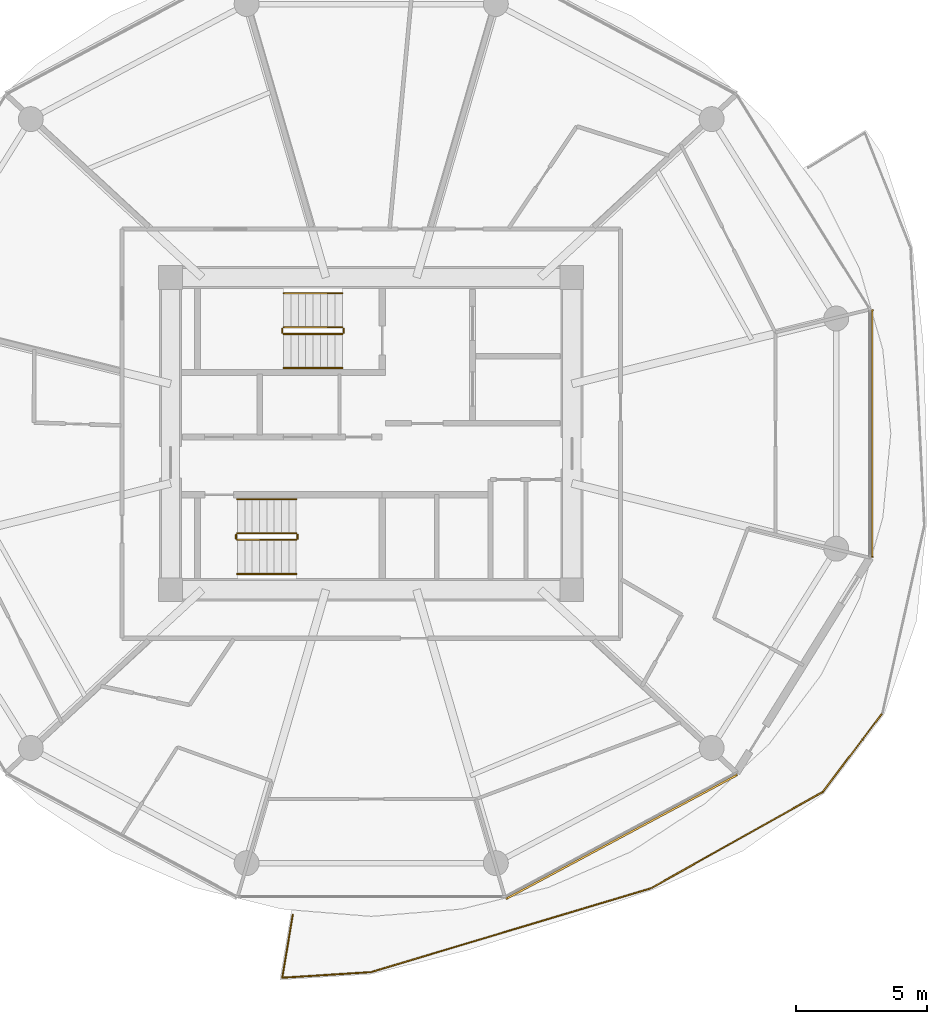
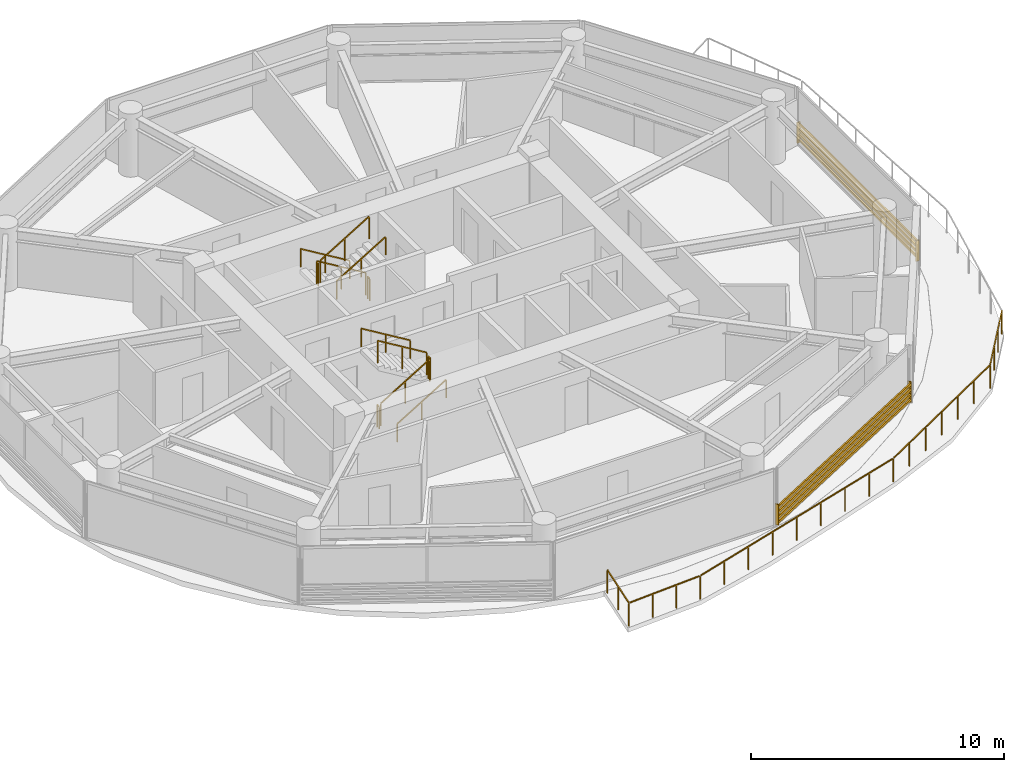
# One storey, part 26 of 27: 13 railings, 2 shading devices.
"""IFC4 building model written with IfcOpenShell, lengths in metres."""

from ifc_helpers import new_model, si_unit, direction, frame, origin, origin_2d, place, context, subcontext, project, spatial, rectangle, extrude, source, transform, mapped, material, type_object, type_shapes, element, save


model = new_model("IFC4")

# Units and contexts
model_context = context("Model", 3, precision=1e-05, world=origin(), true_north=direction((0.0, 1.0)))
body_context = subcontext(model_context, "Body", "Model", "MODEL_VIEW")
ifc_project = project(units=[si_unit("LENGTHUNIT", "METRE"), si_unit("AREAUNIT", "SQUARE_METRE"), si_unit("VOLUMEUNIT", "CUBIC_METRE"), si_unit("PLANEANGLEUNIT", "RADIAN"), si_unit("MASSUNIT", "GRAM", prefix="KILO")], contexts=[model_context])

# Site, building, storey
site_placement = place(None, origin())
site = spatial("IfcSite", under=ifc_project, at=site_placement, CompositionType="ELEMENT")
building_placement = place(site_placement, origin())
building = spatial("IfcBuilding", under=site, at=building_placement, Name="Norrkilde Senior Care Towers", CompositionType="ELEMENT")
storey_placement = place(building_placement, frame((0.0, 0.0, 33.800048828125)))
storey = spatial("IfcBuildingStorey", under=building, at=storey_placement, Name="L09", CompositionType="ELEMENT", Elevation=33.800048828125)

# Railings
ifc_material_1 = material(Name="Anodised Aluminium", Category="aluminium")
railing_type_1 = type_object("IfcRailingType", Name="Balcony Swirl Ribbon Guardrail 1150", PredefinedType="GUARDRAIL", material=ifc_material_1)
railing_1_placement = place(storey_placement, frame((47.482177734375, -10.65673828125, 0.0)))
element("IfcRailing", 1, at=railing_1_placement, inside=storey, type_object=railing_type_1, Name="L09 Perimeter Safety Guard 01", PredefinedType="GUARDRAIL", context=body_context, shape_type="SweptSolid", body=[
    extrude(rectangle(XDim=0.048095703125, YDim=0.048095703125, at=origin_2d()), frame((0.0, 0.0, 1.1259765625), z_axis=(-0.604075930237, -0.796926766089, 0.0), x_axis=(0.796926766089, -0.604075930237, 0.0)), (0.0, 0.0, 1.0), 3.727783203125),
    extrude(rectangle(XDim=0.048095703125, YDim=0.048095703125, at=origin_2d()), frame((-2.312255859375, -3.0234375, 1.1259765625), z_axis=(-0.872179606646, -0.489185786539, 0.0), x_axis=(0.489185786539, -0.872179606646, 0.0)), (0.0, 0.0, 1.0), 7.42236328125),
    extrude(rectangle(XDim=0.048095703125, YDim=0.048095703125, at=origin_2d()), frame((-8.860595703125, -6.68603515625, 1.1259765625), z_axis=(-0.957981752548, -0.286829150862, 0.0), x_axis=(0.286829150862, -0.957981752548, 0.0)), (0.0, 0.0, 1.0), 11.059326171875),
    extrude(rectangle(XDim=0.048095703125, YDim=0.048095703125, at=origin_2d()), frame((-19.53515625, -9.87255859375, 1.1259765625), z_axis=(-0.998008861038, -0.06307387168, 0.0), x_axis=(0.06307387168, -0.998008861038, 0.0)), (0.0, 0.0, 1.0), 3.30517578125),
    extrude(rectangle(XDim=0.048095703125, YDim=0.048095703125, at=origin_2d()), frame((-22.86767578125, -10.043212890625, 1.1259765625), z_axis=(0.165146454225, 0.986269054902, 0.0), x_axis=(-0.986269054902, 0.165146454225, 0.0)), (0.0, 0.0, 1.0), 2.3955078125),
    extrude(rectangle(XDim=0.0419921875, YDim=0.0419921875, at=origin_2d()), origin(), (0.0, 0.0, 1.0), 1.099853515625),
    extrude(rectangle(XDim=0.0419921875, YDim=0.0419921875, at=origin_2d()), frame((-0.7587890625, -1.001220703125, 0.0)), (0.0, 0.0, 1.0), 1.099853515625),
    extrude(rectangle(XDim=0.0419921875, YDim=0.0419921875, at=origin_2d()), frame((-1.517822265625, -2.002197265625, 0.0)), (0.0, 0.0, 1.0), 1.099853515625),
    extrude(rectangle(XDim=0.0419921875, YDim=0.0419921875, at=origin_2d()), frame((-2.276611328125, -3.00341796875, 0.0)), (0.0, 0.0, 1.0), 1.099853515625),
    extrude(rectangle(XDim=0.0419921875, YDim=0.0419921875, at=origin_2d()), frame((-3.367431640625, -3.615234375, 0.0)), (0.0, 0.0, 1.0), 1.099853515625),
    extrude(rectangle(XDim=0.0419921875, YDim=0.0419921875, at=origin_2d()), frame((-4.458251953125, -4.22705078125, 0.0)), (0.0, 0.0, 1.0), 1.099853515625),
    extrude(rectangle(XDim=0.0419921875, YDim=0.0419921875, at=origin_2d()), frame((-5.549072265625, -4.8388671875, 0.0)), (0.0, 0.0, 1.0), 1.099853515625),
    extrude(rectangle(XDim=0.0419921875, YDim=0.0419921875, at=origin_2d()), frame((-6.639892578125, -5.45068359375, 0.0)), (0.0, 0.0, 1.0), 1.099853515625),
    extrude(rectangle(XDim=0.0419921875, YDim=0.0419921875, at=origin_2d()), frame((-7.730712890625, -6.0625, 0.0)), (0.0, 0.0, 1.0), 1.099853515625),
    extrude(rectangle(XDim=0.0419921875, YDim=0.0419921875, at=origin_2d()), frame((-8.821533203125, -6.67431640625, 0.0)), (0.0, 0.0, 1.0), 1.099853515625),
    extrude(rectangle(XDim=0.0419921875, YDim=0.0419921875, at=origin_2d()), frame((-10.15576171875, -7.07373046875, 0.0)), (0.0, 0.0, 1.0), 1.099853515625),
    extrude(rectangle(XDim=0.0419921875, YDim=0.0419921875, at=origin_2d()), frame((-11.48974609375, -7.47314453125, 0.0)), (0.0, 0.0, 1.0), 1.099853515625),
    extrude(rectangle(XDim=0.0419921875, YDim=0.0419921875, at=origin_2d()), frame((-12.82373046875, -7.87255859375, 0.0)), (0.0, 0.0, 1.0), 1.099853515625),
    extrude(rectangle(XDim=0.0419921875, YDim=0.0419921875, at=origin_2d()), frame((-14.157958984375, -8.27197265625, 0.0)), (0.0, 0.0, 1.0), 1.099853515625),
    extrude(rectangle(XDim=0.0419921875, YDim=0.0419921875, at=origin_2d()), frame((-15.4921875, -8.671630859375, 0.0)), (0.0, 0.0, 1.0), 1.099853515625),
    extrude(rectangle(XDim=0.0419921875, YDim=0.0419921875, at=origin_2d()), frame((-16.826171875, -9.071044921875, 0.0)), (0.0, 0.0, 1.0), 1.099853515625),
    extrude(rectangle(XDim=0.0419921875, YDim=0.0419921875, at=origin_2d()), frame((-18.16015625, -9.470458984375, 0.0)), (0.0, 0.0, 1.0), 1.099853515625),
    extrude(rectangle(XDim=0.0419921875, YDim=0.0419921875, at=origin_2d()), frame((-19.494384765625, -9.869873046875, 0.0)), (0.0, 0.0, 1.0), 1.099853515625),
    extrude(rectangle(XDim=0.0419921875, YDim=0.0419921875, at=origin_2d()), frame((-20.62109375, -9.941162109375, 0.0)), (0.0, 0.0, 1.0), 1.099853515625),
    extrude(rectangle(XDim=0.0419921875, YDim=0.0419921875, at=origin_2d()), frame((-21.747802734375, -10.01220703125, 0.0)), (0.0, 0.0, 1.0), 1.099853515625),
    extrude(rectangle(XDim=0.0419921875, YDim=0.0419921875, at=origin_2d()), frame((-22.87451171875, -10.08349609375, 0.0)), (0.0, 0.0, 1.0), 1.099853515625),
    extrude(rectangle(XDim=0.0419921875, YDim=0.0419921875, at=origin_2d()), frame((-22.67333984375, -8.882080078125, 0.0)), (0.0, 0.0, 1.0), 1.099853515625),
    extrude(rectangle(XDim=0.0419921875, YDim=0.0419921875, at=origin_2d()), frame((-22.47216796875, -7.6806640625, 0.0)), (0.0, 0.0, 1.0), 1.099853515625),
])
ifc_material_2 = material(Name="Stainless Steel", Category="steel")
railing_type_2 = type_object("IfcRailingType", Name="Stair and Terrace Guardrail 1100", PredefinedType="GUARDRAIL", material=ifc_material_2)
railing_2_placement = place(storey_placement, frame((26.89990234375, 4.050048828125, 0.16943359375)))
element("IfcRailing", 2, at=railing_2_placement, inside=storey, type_object=railing_type_2, Name="L09 ST-E1 stair guard 1", PredefinedType="GUARDRAIL", context=body_context, shape_type="SweptSolid", body=[
    extrude(rectangle(XDim=0.048095703125, YDim=0.048095703125, at=origin_2d()), frame((0.0, 0.0, 1.076171875), z_axis=(-0.855553338991, 0.0, 0.51771467445), x_axis=(0.0, -1.0, 0.0)), (0.0, 0.0, 1.0), 2.6181640625),
    extrude(rectangle(XDim=0.0419921875, YDim=0.0419921875, at=origin_2d()), origin(), (0.0, 0.0, 1.0), 1.050048828125),
    extrude(rectangle(XDim=0.0419921875, YDim=0.0419921875, at=origin_2d()), frame((-1.1201171875, 0.0, 0.677734375)), (0.0, 0.0, 1.0), 1.050048828125),
    extrude(rectangle(XDim=0.0419921875, YDim=0.0419921875, at=origin_2d()), frame((-2.239990234375, 0.0, 1.35546875)), (0.0, 0.0, 1.0), 1.050048828125),
])
railing_3_placement = place(storey_placement, frame((24.610107421875, 4.0, 1.52490234375)))
element("IfcRailing", 3, at=railing_3_placement, inside=storey, type_object=railing_type_2, Name="L09 ST-E1 stair guard 2", PredefinedType="GUARDRAIL", context=body_context, shape_type="SweptSolid", body=[
    extrude(rectangle(XDim=0.048095703125, YDim=0.048095703125, at=origin_2d()), frame((0.0, 0.0, 1.076171875), z_axis=(0.0, -1.0, 0.0), x_axis=(1.0, 0.0, 0.0)), (0.0, 0.0, 1.0), 0.14990234375),
    extrude(rectangle(XDim=0.0419921875, YDim=0.0419921875, at=origin_2d()), origin(), (0.0, 0.0, 1.0), 1.050048828125),
    extrude(rectangle(XDim=0.0419921875, YDim=0.0419921875, at=origin_2d()), frame((0.0, -0.14990234375, 0.0)), (0.0, 0.0, 1.0), 1.050048828125),
])
railing_4_placement = place(storey_placement, frame((24.659912109375, 3.800048828125, 1.6943359375)))
element("IfcRailing", 4, at=railing_4_placement, inside=storey, type_object=railing_type_2, Name="L09 ST-E1 stair guard 3", PredefinedType="GUARDRAIL", context=body_context, shape_type="SweptSolid", body=[
    extrude(rectangle(XDim=0.048095703125, YDim=0.048095703125, at=origin_2d()), frame((0.0, 0.0, 1.076171875), z_axis=(0.855512035549, 0.0, 0.517782924622), x_axis=(0.0, 1.0, 0.0)), (0.0, 0.0, 1.0), 2.618408203125),
    extrude(rectangle(XDim=0.0419921875, YDim=0.0419921875, at=origin_2d()), origin(), (0.0, 0.0, 1.0), 1.050048828125),
    extrude(rectangle(XDim=0.0419921875, YDim=0.0419921875, at=origin_2d()), frame((1.1201171875, 0.0, 0.677734375)), (0.0, 0.0, 1.0), 1.050048828125),
    extrude(rectangle(XDim=0.0419921875, YDim=0.0419921875, at=origin_2d()), frame((2.239990234375, 0.0, 1.355712890625)), (0.0, 0.0, 1.0), 1.050048828125),
])
railing_5_placement = place(storey_placement, frame((26.949951171875, 4.0, 0.0)))
element("IfcRailing", 5, at=railing_5_placement, inside=storey, type_object=railing_type_2, Name="L09 ST-E1 stair guard 4", PredefinedType="GUARDRAIL", context=body_context, shape_type="SweptSolid", body=[
    extrude(rectangle(XDim=0.048095703125, YDim=0.048095703125, at=origin_2d()), frame((0.0, 0.0, 1.076171875), z_axis=(0.0, -1.0, 0.0), x_axis=(1.0, 0.0, 0.0)), (0.0, 0.0, 1.0), 0.14990234375),
    extrude(rectangle(XDim=0.0419921875, YDim=0.0419921875, at=origin_2d()), origin(), (0.0, 0.0, 1.0), 1.050048828125),
    extrude(rectangle(XDim=0.0419921875, YDim=0.0419921875, at=origin_2d()), frame((0.0, -0.14990234375, 0.0)), (0.0, 0.0, 1.0), 1.050048828125),
])
railing_6_placement = place(storey_placement, frame((22.89990234375, -4.050048828125, 0.16943359375)))
element("IfcRailing", 6, at=railing_6_placement, inside=storey, type_object=railing_type_2, Name="L09 ST-E2 stair guard 1", PredefinedType="GUARDRAIL", context=body_context, shape_type="SweptSolid", body=[
    extrude(rectangle(XDim=0.048095703125, YDim=0.048095703125, at=origin_2d()), frame((0.0, 0.0, 1.076171875), z_axis=(0.855553338991, 0.0, 0.51771467445), x_axis=(0.0, 1.0, 0.0)), (0.0, 0.0, 1.0), 2.6181640625),
    extrude(rectangle(XDim=0.0419921875, YDim=0.0419921875, at=origin_2d()), origin(), (0.0, 0.0, 1.0), 1.050048828125),
    extrude(rectangle(XDim=0.0419921875, YDim=0.0419921875, at=origin_2d()), frame((1.1201171875, 0.0, 0.677734375)), (0.0, 0.0, 1.0), 1.050048828125),
    extrude(rectangle(XDim=0.0419921875, YDim=0.0419921875, at=origin_2d()), frame((2.239990234375, 0.0, 1.35546875)), (0.0, 0.0, 1.0), 1.050048828125),
])
railing_7_placement = place(storey_placement, frame((25.18994140625, -4.0, 1.52490234375)))
element("IfcRailing", 7, at=railing_7_placement, inside=storey, type_object=railing_type_2, Name="L09 ST-E2 stair guard 2", PredefinedType="GUARDRAIL", context=body_context, shape_type="SweptSolid", body=[
    extrude(rectangle(XDim=0.048095703125, YDim=0.048095703125, at=origin_2d()), frame((0.0, 0.0, 1.076171875), z_axis=(0.0, 1.0, 0.0), x_axis=(-1.0, 0.0, 0.0)), (0.0, 0.0, 1.0), 0.14990234375),
    extrude(rectangle(XDim=0.0419921875, YDim=0.0419921875, at=origin_2d()), origin(), (0.0, 0.0, 1.0), 1.050048828125),
    extrude(rectangle(XDim=0.0419921875, YDim=0.0419921875, at=origin_2d()), frame((0.0, 0.14990234375, 0.0)), (0.0, 0.0, 1.0), 1.050048828125),
])
railing_8_placement = place(storey_placement, frame((25.139892578125, -3.800048828125, 1.6943359375)))
element("IfcRailing", 8, at=railing_8_placement, inside=storey, type_object=railing_type_2, Name="L09 ST-E2 stair guard 3", PredefinedType="GUARDRAIL", context=body_context, shape_type="SweptSolid", body=[
    extrude(rectangle(XDim=0.048095703125, YDim=0.048095703125, at=origin_2d()), frame((0.0, 0.0, 1.076171875), z_axis=(-0.855512035549, 0.0, 0.517782924622), x_axis=(0.0, -1.0, 0.0)), (0.0, 0.0, 1.0), 2.618408203125),
    extrude(rectangle(XDim=0.0419921875, YDim=0.0419921875, at=origin_2d()), origin(), (0.0, 0.0, 1.0), 1.050048828125),
    extrude(rectangle(XDim=0.0419921875, YDim=0.0419921875, at=origin_2d()), frame((-1.1201171875, 0.0, 0.677734375)), (0.0, 0.0, 1.0), 1.050048828125),
    extrude(rectangle(XDim=0.0419921875, YDim=0.0419921875, at=origin_2d()), frame((-2.239990234375, 0.0, 1.355712890625)), (0.0, 0.0, 1.0), 1.050048828125),
])
railing_9_placement = place(storey_placement, frame((22.85009765625, -4.0, 0.0)))
element("IfcRailing", 9, at=railing_9_placement, inside=storey, type_object=railing_type_2, Name="L09 ST-E2 stair guard 4", PredefinedType="GUARDRAIL", context=body_context, shape_type="SweptSolid", body=[
    extrude(rectangle(XDim=0.048095703125, YDim=0.048095703125, at=origin_2d()), frame((0.0, 0.0, 1.076171875), z_axis=(0.0, 1.0, 0.0), x_axis=(-1.0, 0.0, 0.0)), (0.0, 0.0, 1.0), 0.14990234375),
    extrude(rectangle(XDim=0.0419921875, YDim=0.0419921875, at=origin_2d()), origin(), (0.0, 0.0, 1.0), 1.050048828125),
    extrude(rectangle(XDim=0.0419921875, YDim=0.0419921875, at=origin_2d()), frame((0.0, 0.14990234375, 0.0)), (0.0, 0.0, 1.0), 1.050048828125),
])
ifc_material_3 = material(Name="Nordic Ash Timber", Category="wood")
railing_type_3 = type_object("IfcRailingType", Name="Wall and Stair Handrail 900", PredefinedType="HANDRAIL", material=ifc_material_3)
railing_10_placement = place(storey_placement, frame((26.89990234375, 5.35009765625, 0.16943359375)))
element("IfcRailing", 10, at=railing_10_placement, inside=storey, type_object=railing_type_3, Name="L09 ST-E1 stair handrail 1", PredefinedType="HANDRAIL", context=body_context, shape_type="SweptSolid", body=[
    extrude(rectangle(XDim=0.048095703125, YDim=0.048095703125, at=origin_2d()), frame((0.0, 0.0, 0.8759765625), z_axis=(-0.855553338991, 0.0, 0.51771467445), x_axis=(0.0, -1.0, 0.0)), (0.0, 0.0, 1.0), 2.6181640625),
    extrude(rectangle(XDim=0.0419921875, YDim=0.0419921875, at=origin_2d()), origin(), (0.0, 0.0, 1.0), 0.849853515625),
    extrude(rectangle(XDim=0.0419921875, YDim=0.0419921875, at=origin_2d()), frame((-1.1201171875, 0.0, 0.677734375)), (0.0, 0.0, 1.0), 0.849853515625),
    extrude(rectangle(XDim=0.0419921875, YDim=0.0419921875, at=origin_2d()), frame((-2.239990234375, 0.0, 1.35546875)), (0.0, 0.0, 1.0), 0.849853515625),
])
railing_11_placement = place(storey_placement, frame((24.659912109375, 2.5, 1.6943359375)))
element("IfcRailing", 11, at=railing_11_placement, inside=storey, type_object=railing_type_3, Name="L09 ST-E1 stair handrail 2", PredefinedType="HANDRAIL", context=body_context, shape_type="SweptSolid", body=[
    extrude(rectangle(XDim=0.048095703125, YDim=0.048095703125, at=origin_2d()), frame((0.0, 0.0, 0.8759765625), z_axis=(0.855512035549, 0.0, 0.517782924622), x_axis=(0.0, 1.0, 0.0)), (0.0, 0.0, 1.0), 2.618408203125),
    extrude(rectangle(XDim=0.0419921875, YDim=0.0419921875, at=origin_2d()), origin(), (0.0, 0.0, 1.0), 0.849853515625),
    extrude(rectangle(XDim=0.0419921875, YDim=0.0419921875, at=origin_2d()), frame((1.1201171875, 0.0, 0.677734375)), (0.0, 0.0, 1.0), 0.849853515625),
    extrude(rectangle(XDim=0.0419921875, YDim=0.0419921875, at=origin_2d()), frame((2.239990234375, 0.0, 1.355712890625)), (0.0, 0.0, 1.0), 0.849853515625),
])
railing_12_placement = place(storey_placement, frame((22.89990234375, -5.35009765625, 0.16943359375)))
element("IfcRailing", 12, at=railing_12_placement, inside=storey, type_object=railing_type_3, Name="L09 ST-E2 stair handrail 1", PredefinedType="HANDRAIL", context=body_context, shape_type="SweptSolid", body=[
    extrude(rectangle(XDim=0.048095703125, YDim=0.048095703125, at=origin_2d()), frame((0.0, 0.0, 0.8759765625), z_axis=(0.855553338991, 0.0, 0.51771467445), x_axis=(0.0, 1.0, 0.0)), (0.0, 0.0, 1.0), 2.6181640625),
    extrude(rectangle(XDim=0.0419921875, YDim=0.0419921875, at=origin_2d()), origin(), (0.0, 0.0, 1.0), 0.849853515625),
    extrude(rectangle(XDim=0.0419921875, YDim=0.0419921875, at=origin_2d()), frame((1.1201171875, 0.0, 0.677734375)), (0.0, 0.0, 1.0), 0.849853515625),
    extrude(rectangle(XDim=0.0419921875, YDim=0.0419921875, at=origin_2d()), frame((2.239990234375, 0.0, 1.35546875)), (0.0, 0.0, 1.0), 0.849853515625),
])
railing_13_placement = place(storey_placement, frame((25.139892578125, -2.5, 1.6943359375)))
element("IfcRailing", 13, at=railing_13_placement, inside=storey, type_object=railing_type_3, Name="L09 ST-E2 stair handrail 2", PredefinedType="HANDRAIL", context=body_context, shape_type="SweptSolid", body=[
    extrude(rectangle(XDim=0.048095703125, YDim=0.048095703125, at=origin_2d()), frame((0.0, 0.0, 0.8759765625), z_axis=(-0.855512035549, 0.0, 0.517782924622), x_axis=(0.0, -1.0, 0.0)), (0.0, 0.0, 1.0), 2.618408203125),
    extrude(rectangle(XDim=0.0419921875, YDim=0.0419921875, at=origin_2d()), origin(), (0.0, 0.0, 1.0), 0.849853515625),
    extrude(rectangle(XDim=0.0419921875, YDim=0.0419921875, at=origin_2d()), frame((-1.1201171875, 0.0, 0.677734375)), (0.0, 0.0, 1.0), 0.849853515625),
    extrude(rectangle(XDim=0.0419921875, YDim=0.0419921875, at=origin_2d()), frame((-2.239990234375, 0.0, 1.355712890625)), (0.0, 0.0, 1.0), 0.849853515625),
])

# Shading devices
ifc_material_4 = material(Name="Architectural Terracotta", Category="masonry")
shading_device_type = type_object("IfcShadingDeviceType", Name="Horizontal Terracotta Baguette Rack", PredefinedType="USERDEFINED", material=ifc_material_4)
shared_shape_1 = source(origin(), body_context, "Body", "SweptSolid", [
    extrude(rectangle(XDim=0.070068359375, YDim=0.110107421875, at=origin_2d()), frame((0.0, 0.090087890625, 0.125), z_axis=(1.0, 0.0, 0.0), x_axis=(0.0, 1.0, 0.0)), (0.0, 0.0, 1.0), 10.0107421875),
    extrude(rectangle(XDim=0.070068359375, YDim=0.110107421875, at=origin_2d()), frame((0.0, 0.090087890625, 0.375), z_axis=(1.0, 0.0, 0.0), x_axis=(0.0, 1.0, 0.0)), (0.0, 0.0, 1.0), 10.0107421875),
    extrude(rectangle(XDim=0.070068359375, YDim=0.110107421875, at=origin_2d()), frame((0.0, 0.090087890625, 0.625), z_axis=(1.0, 0.0, 0.0), x_axis=(0.0, 1.0, 0.0)), (0.0, 0.0, 1.0), 10.0107421875),
    extrude(rectangle(XDim=0.070068359375, YDim=0.110107421875, at=origin_2d()), frame((0.0, 0.090087890625, 0.875), z_axis=(1.0, 0.0, 0.0), x_axis=(0.0, 1.0, 0.0)), (0.0, 0.0, 1.0), 10.0107421875),
    extrude(rectangle(XDim=0.050048828125, YDim=0.1552734375, at=origin_2d()), frame((0.02490234375, 0.047607421875, 0.0)), (0.0, 0.0, 1.0), 1.0),
    extrude(rectangle(XDim=0.050048828125, YDim=0.1552734375, at=origin_2d()), frame((9.98583984375, 0.047607421875, 0.0)), (0.0, 0.0, 1.0), 1.0),
])
shading_device_1_placement = place(storey_placement, frame((41.915771484375, -12.926025390625, 0.079833984375), z_axis=(0.0, 0.0, 1.0), x_axis=(-0.881279875134, -0.472612428056, 0.0)))
element("IfcShadingDevice", 14, at=shading_device_1_placement, inside=storey, type_object=shading_device_type, Name="L09 Drum E Terracotta Baguette Screen 09", ObjectType="BAGUETTE", PredefinedType="USERDEFINED", context=body_context, shape_type="MappedRepresentation", body=[
    mapped(shared_shape_1, transform((0.0, 0.0, 0.0), x_axis=(1.0, 0.0, 0.0), y_axis=(0.0, 1.0, 0.0), z_axis=(0.0, 0.0, 1.0), scale=1.0)),
])
shared_shape_2 = source(origin(), body_context, "Body", "SweptSolid", [
    extrude(rectangle(XDim=0.070068359375, YDim=0.110107421875, at=origin_2d()), frame((0.0, 0.090087890625, 0.125), z_axis=(1.0, 0.0, 0.0), x_axis=(0.0, 1.0, 0.0)), (0.0, 0.0, 1.0), 9.46240234375),
    extrude(rectangle(XDim=0.070068359375, YDim=0.110107421875, at=origin_2d()), frame((0.0, 0.090087890625, 0.375), z_axis=(1.0, 0.0, 0.0), x_axis=(0.0, 1.0, 0.0)), (0.0, 0.0, 1.0), 9.46240234375),
    extrude(rectangle(XDim=0.070068359375, YDim=0.110107421875, at=origin_2d()), frame((0.0, 0.090087890625, 0.625), z_axis=(1.0, 0.0, 0.0), x_axis=(0.0, 1.0, 0.0)), (0.0, 0.0, 1.0), 9.46240234375),
    extrude(rectangle(XDim=0.070068359375, YDim=0.110107421875, at=origin_2d()), frame((0.0, 0.090087890625, 0.875), z_axis=(1.0, 0.0, 0.0), x_axis=(0.0, 1.0, 0.0)), (0.0, 0.0, 1.0), 9.46240234375),
    extrude(rectangle(XDim=0.050048828125, YDim=0.1552734375, at=origin_2d()), frame((0.02490234375, 0.047607421875, 0.0)), (0.0, 0.0, 1.0), 1.0),
    extrude(rectangle(XDim=0.050048828125, YDim=0.1552734375, at=origin_2d()), frame((9.4375, 0.047607421875, 0.0)), (0.0, 0.0, 1.0), 1.0),
])
type_shapes(shading_device_type, [shared_shape_1, shared_shape_2])
shading_device_2_placement = place(storey_placement, frame((47.009521484375, 4.731201171875, 0.079833984375), z_axis=(0.0, 0.0, 1.0), x_axis=(0.0, -1.0, 0.0)))
element("IfcShadingDevice", 15, at=shading_device_2_placement, inside=storey, type_object=shading_device_type, Name="L09 Drum E Terracotta Baguette Screen 11", ObjectType="BAGUETTE", PredefinedType="USERDEFINED", context=body_context, shape_type="MappedRepresentation", body=[
    mapped(shared_shape_2, transform((0.0, 0.0, 0.0), x_axis=(1.0, 0.0, 0.0), y_axis=(0.0, 1.0, 0.0), z_axis=(0.0, 0.0, 1.0), scale=1.0)),
])

save(model, "model.ifc")
